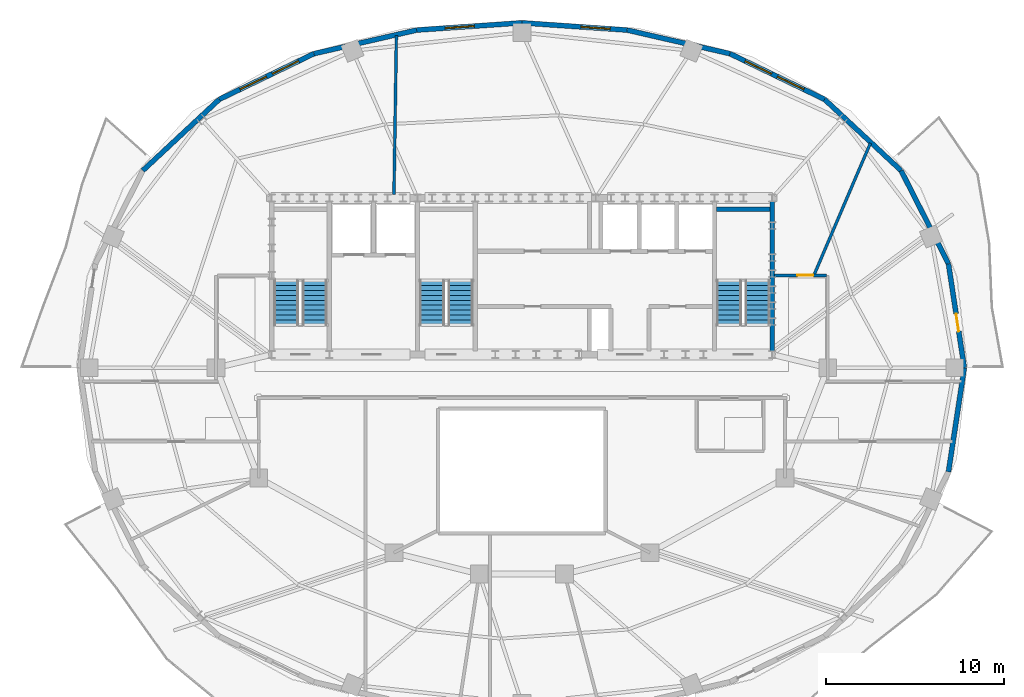
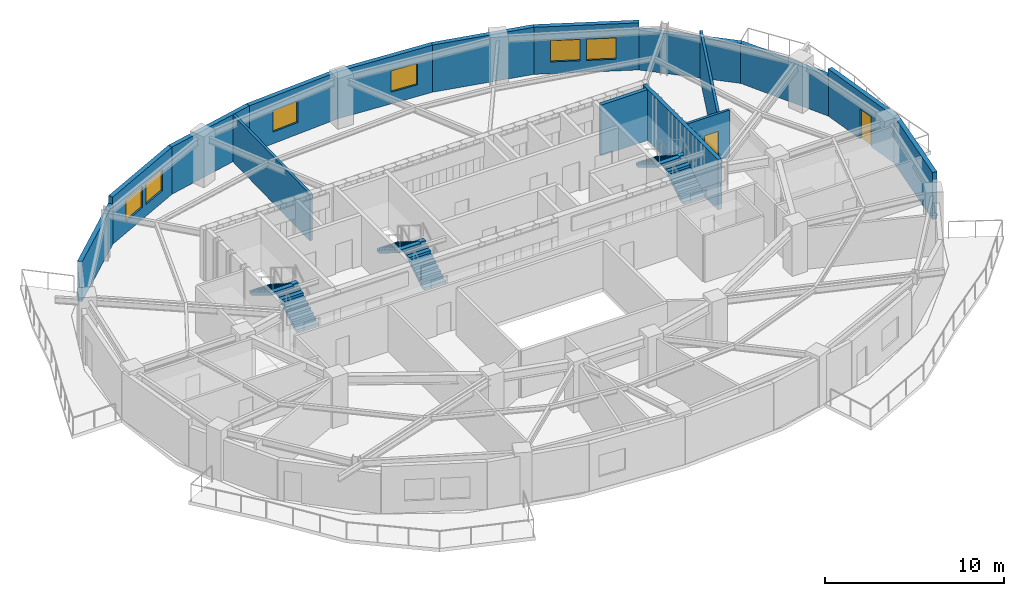
# One storey, part 5 of 9: 16 walls, 6 stair flights, 6 windows, 2 doors, 8 openings, 3 elements without a shape of their own.
"""IFC4 building model written with IfcOpenShell, lengths in metres."""

from ifc_helpers import new_model, si_unit, direction, frame, frame_2d, origin, place, context, subcontext, project, spatial, polyline, rectangle, outline, extrude, material, layer, layer_set, type_object, element, fill, aggregate, save


model = new_model("IFC4")

# Units and contexts
model_context = context("Model", 3, precision=1e-05, world=origin(), true_north=direction((0.0, 1.0)))
body_context = subcontext(model_context, "Body", "Model", "MODEL_VIEW")
ifc_project = project(units=[si_unit("LENGTHUNIT", "METRE"), si_unit("AREAUNIT", "SQUARE_METRE"), si_unit("VOLUMEUNIT", "CUBIC_METRE"), si_unit("PLANEANGLEUNIT", "RADIAN"), si_unit("MASSUNIT", "GRAM", prefix="KILO")], contexts=[model_context])

# Site, building, storey
site_placement = place(None, origin())
site = spatial("IfcSite", under=ifc_project, at=site_placement, CompositionType="ELEMENT")
building_placement = place(site_placement, origin())
building = spatial("IfcBuilding", under=site, at=building_placement, Name="Haldorwick Loom Tower", CompositionType="ELEMENT")
storey_placement = place(building_placement, frame((0.0, 0.0, 252.300048828125)))
storey = spatial("IfcBuildingStorey", under=building, at=storey_placement, Name="L68", CompositionType="ELEMENT", Elevation=252.300048828125)

# Wall, opening, door
ifc_material_1 = material(Name="Pressed Clay Face Brick and Insulated Masonry Backup Assembly", Category="masonry")
ifc_layer_1 = layer(ifc_material_1, 0.280029296875, Name="Pressed Clay Face Brick and Insulated Masonry Backup Assembly", Category="masonry")
ifc_layer_set_1 = layer_set([ifc_layer_1], Name="Pressed Clay Face Brick and Insulated Masonry Backup Assembly")
wall_type_1 = type_object("IfcWallType", Name="ARC-WL-EXT280", PredefinedType="STANDARD", material=ifc_layer_set_1)
wall_1_placement = place(storey_placement, frame((60.876708984375, 26.0, 0.0), z_axis=(0.0, 0.0, 1.0), x_axis=(-0.150497234153, 0.988610430105, 0.0)))
wall_1 = element("IfcWall", 1, at=wall_1_placement, inside=storey, type_object=wall_type_1, Name="L68 Brick Pier and Spandrel Wall 1", PredefinedType="STANDARD", context=body_context, shape_type="SweptSolid", body=[
    extrude(rectangle(XDim=5.916259765625, YDim=0.280029296875, at=frame_2d((2.9580078125, 0.0))), origin(), (0.0, 0.0, 1.0), 3.2099609375),
])
opening_1_placement = place(wall_1_placement, frame((2.0703125, 0.0, 0.0)))
opening_1 = element("IfcOpeningElement", 2, at=opening_1_placement, cuts=wall_1, Name="Opening D-BL10", PredefinedType="OPENING", context=body_context, shape_type="SweptSolid", body=[
    extrude(rectangle(XDim=1.0, YDim=2.0400390625, at=frame_2d((0.5, 1.02001953125))), frame((0.0, 0.14990234375, 0.0), z_axis=(0.0, -1.0, 0.0), x_axis=(1.0, 0.0, 0.0)), (0.0, 0.0, 1.0), 0.300048828125),
])
ifc_material_2 = material(Name="Thermally Broken Anodized Aluminium Curtain Wall Framing", Category="aluminium")
door_type_1 = type_object("IfcDoorType", Name="ARC-DR-BAL100", OperationType="NOTDEFINED", PredefinedType="DOOR", material=ifc_material_2)
door_1_placement = place(opening_1_placement, origin())
door_1 = element("IfcDoor", 3, at=door_1_placement, inside=storey, type_object=door_type_1, Name="L68 Outdoor Terrace Door SLB-L68-BAL_ENE", OperationType="SINGLE_SWING_RIGHT", OverallHeight=2.0400390625, OverallWidth=1.0, PredefinedType="DOOR", context=body_context, shape_type="SweptSolid", body=[
    extrude(rectangle(XDim=1.0, YDim=2.0400390625, at=frame_2d((0.5, 1.02001953125))), frame((0.0, 0.02490234375, 0.0), z_axis=(0.0, -1.0, 0.0), x_axis=(1.0, 0.0, 0.0)), (0.0, 0.0, 1.0), 0.050048828125),
])
fill(opening_1, door_1)

# Walls
wall_2_placement = place(storey_placement, frame((59.986328125, 31.848876953125, 0.0), z_axis=(0.0, 0.0, 1.0), x_axis=(-0.453100705059, 0.89145933787, 0.0)))
element("IfcWall", 4, at=wall_2_placement, inside=storey, type_object=wall_type_1, Name="L68 Brick Pier and Spandrel Wall 2", PredefinedType="STANDARD", context=body_context, shape_type="SweptSolid", body=[
    extrude(rectangle(XDim=5.879150390625, YDim=0.280029296875, at=frame_2d((2.939453125, 0.0))), origin(), (0.0, 0.0, 1.0), 2.718994140625),
])
wall_3_placement = place(storey_placement, frame((57.322509765625, 37.08984375, 0.0), z_axis=(0.0, 0.0, 1.0), x_axis=(-0.731924682982, 0.68138554317, 0.0)))
element("IfcWall", 5, at=wall_3_placement, inside=storey, type_object=wall_type_1, Name="L68 Brick Pier and Spandrel Wall 3", PredefinedType="STANDARD", context=body_context, shape_type="SweptSolid", body=[
    extrude(rectangle(XDim=5.87890625, YDim=0.280029296875, at=frame_2d((2.939453125, 0.0))), origin(), (0.0, 0.0, 1.0), 2.718994140625),
])

# Wall, openings, windows
wall_4_placement = place(storey_placement, frame((53.01953125, 41.095703125, 0.0), z_axis=(0.0, 0.0, 1.0), x_axis=(-0.900481907967, 0.434893473651, 0.0)))
wall_4 = element("IfcWall", 6, at=wall_4_placement, inside=storey, type_object=wall_type_1, Name="L68 Brick Pier and Spandrel Wall 4", PredefinedType="STANDARD", context=body_context, shape_type="SweptSolid", body=[
    extrude(rectangle(XDim=5.90966796875, YDim=0.280029296875, at=frame_2d((2.954833984375, 0.0))), origin(), (0.0, 0.0, 1.0), 3.2099609375),
])
opening_2_placement = place(wall_4_placement, frame((1.29443359375, 0.0, 0.800048828125)))
opening_2 = element("IfcOpeningElement", 7, at=opening_2_placement, cuts=wall_4, Name="Opening W-01B", PredefinedType="OPENING", context=body_context, shape_type="SweptSolid", body=[
    extrude(rectangle(XDim=1.64990234375, YDim=1.449951171875, at=frame_2d((0.824951171875, 0.72509765625))), frame((0.0, 0.14990234375, 0.0), z_axis=(0.0, -1.0, 0.0), x_axis=(1.0, 0.0, 0.0)), (0.0, 0.0, 1.0), 0.300048828125),
])
opening_3_placement = place(wall_4_placement, frame((3.311767578125, 0.0, 0.800048828125)))
opening_3 = element("IfcOpeningElement", 8, at=opening_3_placement, cuts=wall_4, Name="Opening W-01B", PredefinedType="OPENING", context=body_context, shape_type="SweptSolid", body=[
    extrude(rectangle(XDim=1.64990234375, YDim=1.449951171875, at=frame_2d((0.824951171875, 0.72509765625))), frame((0.0, 0.14990234375, 0.0), z_axis=(0.0, -1.0, 0.0), x_axis=(1.0, 0.0, 0.0)), (0.0, 0.0, 1.0), 0.300048828125),
])
ifc_material_3 = material(Name="Triple-Glazed Low-E Argon Insulated Glazing Unit", Category="glass")
window_type = type_object("IfcWindowType", Name="ARC-WIN-W165", PartitioningType="SINGLE_PANEL", PredefinedType="WINDOW", material=ifc_material_3)
window_1_placement = place(opening_2_placement, origin())
window_1 = element("IfcWindow", 9, at=window_1_placement, inside=storey, type_object=window_type, Name="L68 Deep-Set Zone 7A Window 4", OverallHeight=1.449951171875, OverallWidth=1.64990234375, PartitioningType="SINGLE_PANEL", PredefinedType="WINDOW", context=body_context, shape_type="SweptSolid", body=[
    extrude(rectangle(XDim=1.64990234375, YDim=1.449951171875, at=frame_2d((0.824951171875, 0.72509765625))), frame((0.0, 0.030029296875, 0.0), z_axis=(0.0, -1.0, 0.0), x_axis=(1.0, 0.0, 0.0)), (0.0, 0.0, 1.0), 0.06005859375),
])
fill(opening_2, window_1)
window_2_placement = place(opening_3_placement, origin())
window_2 = element("IfcWindow", 10, at=window_2_placement, inside=storey, type_object=window_type, Name="L68 Deep-Set Zone 7A Window 4", OverallHeight=1.449951171875, OverallWidth=1.64990234375, PartitioningType="SINGLE_PANEL", PredefinedType="WINDOW", context=body_context, shape_type="SweptSolid", body=[
    extrude(rectangle(XDim=1.64990234375, YDim=1.449951171875, at=frame_2d((0.824951171875, 0.72509765625))), frame((0.0, 0.030029296875, 0.0), z_axis=(0.0, -1.0, 0.0), x_axis=(1.0, 0.0, 0.0)), (0.0, 0.0, 1.0), 0.06005859375),
])
fill(opening_3, window_2)

# Wall
wall_5_placement = place(storey_placement, frame((47.697998046875, 43.665771484375, 0.0), z_axis=(0.0, 0.0, 1.0), x_axis=(-0.974589984037, 0.223996345987, 0.0)))
element("IfcWall", 11, at=wall_5_placement, inside=storey, type_object=wall_type_1, Name="L68 Brick Pier and Spandrel Wall 5", PredefinedType="STANDARD", context=body_context, shape_type="SweptSolid", body=[
    extrude(rectangle(XDim=5.92919921875, YDim=0.280029296875, at=frame_2d((2.964599609375, 0.0))), origin(), (0.0, 0.0, 1.0), 3.2099609375),
])

# Wall, opening, window
wall_6_placement = place(storey_placement, frame((41.91943359375, 44.993896484375, 0.0), z_axis=(0.0, 0.0, 1.0), x_axis=(-0.997656066566, 0.068427865986, 0.0)))
wall_6 = element("IfcWall", 12, at=wall_6_placement, inside=storey, type_object=wall_type_1, Name="L68 Brick Pier and Spandrel Wall 6", PredefinedType="STANDARD", context=body_context, shape_type="SweptSolid", body=[
    extrude(rectangle(XDim=5.933349609375, YDim=0.280029296875, at=frame_2d((2.966796875, 0.0))), origin(), (0.0, 0.0, 1.0), 3.2099609375),
])
opening_4_placement = place(wall_6_placement, frame((0.955078125, 0.0, 0.800048828125)))
opening_4 = element("IfcOpeningElement", 13, at=opening_4_placement, cuts=wall_6, Name="Opening W-01B", PredefinedType="OPENING", context=body_context, shape_type="SweptSolid", body=[
    extrude(rectangle(XDim=1.64990234375, YDim=1.449951171875, at=frame_2d((0.824951171875, 0.72509765625))), frame((0.0, 0.14990234375, 0.0), z_axis=(0.0, -1.0, 0.0), x_axis=(1.0, 0.0, 0.0)), (0.0, 0.0, 1.0), 0.300048828125),
])
window_3_placement = place(opening_4_placement, origin())
window_3 = element("IfcWindow", 14, at=window_3_placement, inside=storey, type_object=window_type, Name="L68 Deep-Set Zone 7A Window 6", OverallHeight=1.449951171875, OverallWidth=1.64990234375, PartitioningType="SINGLE_PANEL", PredefinedType="WINDOW", context=body_context, shape_type="SweptSolid", body=[
    extrude(rectangle(XDim=1.64990234375, YDim=1.449951171875, at=frame_2d((0.824951171875, 0.72509765625))), frame((0.0, 0.030029296875, 0.0), z_axis=(0.0, -1.0, 0.0), x_axis=(1.0, 0.0, 0.0)), (0.0, 0.0, 1.0), 0.06005859375),
])
fill(opening_4, window_3)

wall_7_placement = place(storey_placement, frame((36.0, 45.39990234375, 0.0), z_axis=(0.0, 0.0, 1.0), x_axis=(-0.997656066566, -0.068427865986, 0.0)))
wall_7 = element("IfcWall", 15, at=wall_7_placement, inside=storey, type_object=wall_type_1, Name="L68 Brick Pier and Spandrel Wall 7", PredefinedType="STANDARD", context=body_context, shape_type="SweptSolid", body=[
    extrude(rectangle(XDim=5.933349609375, YDim=0.280029296875, at=frame_2d((2.966796875, 0.0))), origin(), (0.0, 0.0, 1.0), 3.2099609375),
])
opening_5_placement = place(wall_7_placement, frame((2.68212890625, 0.0, 0.800048828125)))
opening_5 = element("IfcOpeningElement", 16, at=opening_5_placement, cuts=wall_7, Name="Opening W-01B", PredefinedType="OPENING", context=body_context, shape_type="SweptSolid", body=[
    extrude(rectangle(XDim=1.64990234375, YDim=1.449951171875, at=frame_2d((0.824951171875, 0.72509765625))), frame((0.0, 0.14990234375, 0.0), z_axis=(0.0, -1.0, 0.0), x_axis=(1.0, 0.0, 0.0)), (0.0, 0.0, 1.0), 0.300048828125),
])
window_4_placement = place(opening_5_placement, origin())
window_4 = element("IfcWindow", 17, at=window_4_placement, inside=storey, type_object=window_type, Name="L68 Deep-Set Zone 7A Window 7", OverallHeight=1.449951171875, OverallWidth=1.64990234375, PartitioningType="SINGLE_PANEL", PredefinedType="WINDOW", context=body_context, shape_type="SweptSolid", body=[
    extrude(rectangle(XDim=1.64990234375, YDim=1.449951171875, at=frame_2d((0.824951171875, 0.72509765625))), frame((0.0, 0.030029296875, 0.0), z_axis=(0.0, -1.0, 0.0), x_axis=(1.0, 0.0, 0.0)), (0.0, 0.0, 1.0), 0.06005859375),
])
fill(opening_5, window_4)

# Wall
wall_8_placement = place(storey_placement, frame((30.08056640625, 44.993896484375, 0.0), z_axis=(0.0, 0.0, 1.0), x_axis=(-0.974589984037, -0.223996345987, 0.0)))
element("IfcWall", 18, at=wall_8_placement, inside=storey, type_object=wall_type_1, Name="L68 Brick Pier and Spandrel Wall 8", PredefinedType="STANDARD", context=body_context, shape_type="SweptSolid", body=[
    extrude(rectangle(XDim=5.92919921875, YDim=0.280029296875, at=frame_2d((2.964599609375, 0.0))), origin(), (0.0, 0.0, 1.0), 3.2099609375),
])

# Wall, openings, windows
wall_9_placement = place(storey_placement, frame((24.302001953125, 43.665771484375, 0.0), z_axis=(0.0, 0.0, 1.0), x_axis=(-0.900481907967, -0.434893473651, 0.0)))
wall_9 = element("IfcWall", 19, at=wall_9_placement, inside=storey, type_object=wall_type_1, Name="L68 Brick Pier and Spandrel Wall 9", PredefinedType="STANDARD", context=body_context, shape_type="SweptSolid", body=[
    extrude(rectangle(XDim=5.90966796875, YDim=0.280029296875, at=frame_2d((2.954833984375, 0.0))), origin(), (0.0, 0.0, 1.0), 3.2099609375),
])
opening_6_placement = place(wall_9_placement, frame((0.947998046875, 0.0, 0.800048828125)))
opening_6 = element("IfcOpeningElement", 20, at=opening_6_placement, cuts=wall_9, Name="Opening W-01B", PredefinedType="OPENING", context=body_context, shape_type="SweptSolid", body=[
    extrude(rectangle(XDim=1.64990234375, YDim=1.449951171875, at=frame_2d((0.824951171875, 0.72509765625))), frame((0.0, 0.14990234375, 0.0), z_axis=(0.0, -1.0, 0.0), x_axis=(1.0, 0.0, 0.0)), (0.0, 0.0, 1.0), 0.300048828125),
])
opening_7_placement = place(wall_9_placement, frame((2.965087890625, 0.0, 0.800048828125)))
opening_7 = element("IfcOpeningElement", 21, at=opening_7_placement, cuts=wall_9, Name="Opening W-01B", PredefinedType="OPENING", context=body_context, shape_type="SweptSolid", body=[
    extrude(rectangle(XDim=1.64990234375, YDim=1.449951171875, at=frame_2d((0.824951171875, 0.72509765625))), frame((0.0, 0.14990234375, 0.0), z_axis=(0.0, -1.0, 0.0), x_axis=(1.0, 0.0, 0.0)), (0.0, 0.0, 1.0), 0.300048828125),
])
window_5_placement = place(opening_6_placement, origin())
window_5 = element("IfcWindow", 22, at=window_5_placement, inside=storey, type_object=window_type, Name="L68 Deep-Set Zone 7A Window 9", OverallHeight=1.449951171875, OverallWidth=1.64990234375, PartitioningType="SINGLE_PANEL", PredefinedType="WINDOW", context=body_context, shape_type="SweptSolid", body=[
    extrude(rectangle(XDim=1.64990234375, YDim=1.449951171875, at=frame_2d((0.824951171875, 0.72509765625))), frame((0.0, 0.030029296875, 0.0), z_axis=(0.0, -1.0, 0.0), x_axis=(1.0, 0.0, 0.0)), (0.0, 0.0, 1.0), 0.06005859375),
])
fill(opening_6, window_5)
window_6_placement = place(opening_7_placement, origin())
window_6 = element("IfcWindow", 23, at=window_6_placement, inside=storey, type_object=window_type, Name="L68 Deep-Set Zone 7A Window 9", OverallHeight=1.449951171875, OverallWidth=1.64990234375, PartitioningType="SINGLE_PANEL", PredefinedType="WINDOW", context=body_context, shape_type="SweptSolid", body=[
    extrude(rectangle(XDim=1.64990234375, YDim=1.449951171875, at=frame_2d((0.824951171875, 0.72509765625))), frame((0.0, 0.030029296875, 0.0), z_axis=(0.0, -1.0, 0.0), x_axis=(1.0, 0.0, 0.0)), (0.0, 0.0, 1.0), 0.06005859375),
])
fill(opening_7, window_6)

# Walls
wall_10_placement = place(storey_placement, frame((18.98046875, 41.095703125, 0.0), z_axis=(0.0, 0.0, 1.0), x_axis=(-0.731924682982, -0.68138554317, 0.0)))
element("IfcWall", 24, at=wall_10_placement, inside=storey, type_object=wall_type_1, Name="L68 Brick Pier and Spandrel Wall 10", PredefinedType="STANDARD", context=body_context, shape_type="SweptSolid", body=[
    extrude(rectangle(XDim=5.87890625, YDim=0.280029296875, at=frame_2d((2.939453125, 0.0))), origin(), (0.0, 0.0, 1.0), 2.718994140625),
])
wall_11_placement = place(storey_placement, frame((59.986328125, 20.151123046875, 0.0), z_axis=(0.0, 0.0, 1.0), x_axis=(0.150497234153, 0.988610430105, 0.0)))
element("IfcWall", 25, at=wall_11_placement, inside=storey, type_object=wall_type_1, Name="L68 Brick Pier and Spandrel Wall 24", PredefinedType="STANDARD", context=body_context, shape_type="SweptSolid", body=[
    extrude(rectangle(XDim=5.916259765625, YDim=0.280029296875, at=frame_2d((2.9580078125, 0.0))), origin(), (0.0, 0.0, 1.0), 3.2099609375),
])

# Wall, opening, door
ifc_material_4 = material(Name="Fire-Rated Type X Gypsum Stud Assembly EI 60")
ifc_layer_2 = layer(ifc_material_4, 0.159912109375, Name="Fire-Rated Type X Gypsum Stud Assembly EI 60")
ifc_layer_set_2 = layer_set([ifc_layer_2], Name="Fire-Rated Type X Gypsum Stud Assembly EI 60")
wall_type_2 = type_object("IfcWallType", Name="ARC-WL-FIRE160", PredefinedType="PARTITIONING", material=ifc_layer_set_2)
wall_12_placement = place(storey_placement, frame((50.193115234375, 31.199951171875, 0.0), z_axis=(0.0, 0.0, 1.0), x_axis=(1.0, 0.0, 0.0)))
wall_12 = element("IfcWall", 26, at=wall_12_placement, inside=storey, type_object=wall_type_2, Name="L68 Residential Fire Partition L68-CR-ENJ", PredefinedType="PARTITIONING", context=body_context, shape_type="SweptSolid", body=[
    extrude(rectangle(XDim=2.923828125, YDim=0.159912109375, at=frame_2d((1.4619140625, 0.0))), origin(), (0.0, 0.0, 1.0), 3.195068359375),
])
opening_8_placement = place(wall_12_placement, frame((1.29150390625, 0.0, 0.0)))
opening_8 = element("IfcOpeningElement", 27, at=opening_8_placement, cuts=wall_12, Name="Opening D-FD60A", PredefinedType="OPENING", context=body_context, shape_type="SweptSolid", body=[
    extrude(rectangle(XDim=0.89990234375, YDim=2.0, at=frame_2d((0.449951171875, 1.0))), frame((0.0, 0.08984375, 0.0), z_axis=(0.0, -1.0, 0.0), x_axis=(1.0, 0.0, 0.0)), (0.0, 0.0, 1.0), 0.179931640625),
])
ifc_material_5 = material(Name="Hollow Steel Fire Door Assembly", Category="steel")
door_type_2 = type_object("IfcDoorType", Name="ARC-DR-FD60-90", OperationType="NOTDEFINED", PredefinedType="DOOR", material=ifc_material_5)
door_2_placement = place(opening_8_placement, frame((0.89990234375, 0.0, 0.0), z_axis=(0.0, 0.0, 1.0), x_axis=(-1.0, 0.0, 0.0)))
door_2 = element("IfcDoor", 28, at=door_2_placement, inside=storey, type_object=door_type_2, Name="L68 Tenant Seminar Meeting Room 8 to L68 Central Residential Corridor Do", OperationType="SINGLE_SWING_RIGHT", OverallHeight=2.0, OverallWidth=0.89990234375, PredefinedType="DOOR", context=body_context, shape_type="SweptSolid", body=[
    extrude(rectangle(XDim=0.89990234375, YDim=2.0, at=frame_2d((0.449951171875, 1.0))), frame((0.0, 0.02490234375, 0.0), z_axis=(0.0, -1.0, 0.0), x_axis=(1.0, 0.0, 0.0)), (0.0, 0.0, 1.0), 0.050048828125),
])
fill(opening_8, door_2)

# Walls
wall_13_placement = place(storey_placement, frame((28.8046875, 35.7529296875, 0.0), z_axis=(0.0, 0.0, 1.0), x_axis=(0.015248711969, 0.999883731632, 0.0)))
element("IfcWall", 29, at=wall_13_placement, inside=storey, type_object=wall_type_2, Name="L68 Residential Fire Partition L68-UPN-C3", PredefinedType="PARTITIONING", context=body_context, shape_type="SweptSolid", body=[
    extrude(rectangle(XDim=8.933837890625, YDim=0.159912109375, at=frame_2d((4.466796875, 0.0))), origin(), (0.0, 0.0, 1.0), 3.195068359375),
])
wall_14_placement = place(storey_placement, frame((55.5966796875, 38.63525390625, 0.0), z_axis=(0.0, 0.0, 1.0), x_axis=(-0.393134263541, -0.919481076929, 0.0)))
element("IfcWall", 30, at=wall_14_placement, inside=storey, type_object=wall_type_2, Name="L68 Suite Split Wall", PredefinedType="PARTITIONING", context=body_context, shape_type="SweptSolid", body=[
    extrude(rectangle(XDim=7.99609375, YDim=0.159912109375, at=frame_2d((3.998046875, 0.0))), origin(), (0.0, 0.0, 1.0), 3.195068359375),
])
ifc_material_6 = material(Name="Concrete C50 (50 MPa)", Category="concrete")
ifc_layer_3 = layer(ifc_material_6, 0.239990234375, Name="Concrete C50 (50 MPa)", Category="concrete")
ifc_layer_set_3 = layer_set([ifc_layer_3], Name="Concrete C50 (50 MPa)")
wall_type_3 = type_object("IfcWallType", Name="STR-WL-SHAFT240", PredefinedType="SHEAR", material=ifc_layer_set_3)
wall_15_placement = place(storey_placement, frame((50.070068359375, 26.952880859375, 0.0), z_axis=(0.0, 0.0, 1.0), x_axis=(0.0, 1.0, 0.0)))
element("IfcWall", 31, at=wall_15_placement, inside=storey, type_object=wall_type_3, Name="L68 Core Shear Wall E", PredefinedType="SHEAR", context=body_context, shape_type="SweptSolid", body=[
    extrude(rectangle(XDim=8.39404296875, YDim=0.239990234375, at=frame_2d((4.197021484375, 0.0))), origin(), (0.0, 0.0, 1.0), 3.449951171875),
])
wall_16_placement = place(storey_placement, frame((46.952880859375, 34.919921875, 0.0), z_axis=(0.0, 0.0, 1.0), x_axis=(1.0, 0.0, 0.0)))
element("IfcWall", 32, at=wall_16_placement, inside=storey, type_object=wall_type_3, Name="L68 Core Shear Wall 4N", PredefinedType="SHEAR", context=body_context, shape_type="SweptSolid", body=[
    extrude(rectangle(XDim=2.994140625, YDim=0.239990234375, at=frame_2d((1.4970703125, 0.0))), origin(), (0.0, 0.0, 1.0), 3.449951171875),
])

# Stair, stair flights
ifc_material_7 = material(Name="Concrete C40 (40 MPa)", Category="concrete")
stair_type = type_object("IfcStairType", Name="STR-STR-CORE", PredefinedType="HALF_TURN_STAIR", material=ifc_material_7)
stair_1_placement = place(storey_placement, origin())
stair_1 = element("IfcStair", 33, at=stair_1_placement, inside=storey, type_object=stair_type, Name="L68 Exit Stair ST-01", PredefinedType="HALF_TURN_STAIR")
stair_flight_type = type_object("IfcStairFlightType", Name="STR-STF-1250", PredefinedType="STRAIGHT", material=ifc_material_7)
stair_flight_1_placement = place(storey_placement, frame((24.35009765625, 28.39990234375, 0.0), z_axis=(0.0, 0.0, 1.0), x_axis=(0.0, 1.0, 0.0)))
stair_flight_1 = element("IfcStairFlight", 34, at=stair_flight_1_placement, type_object=stair_flight_type, Name="ST-01 flight 1", NumberOfRisers=10, NumberOfTreads=9, PredefinedType="STRAIGHT", RiserHeight=0.1725, TreadLength=0.28, context=body_context, shape_type="SweptSolid", body=[
    extrude(outline(polyline([(0.0, 0.0), (0.0, 0.172607421875), (0.280029296875, 0.172607421875), (0.280029296875, 0.344970703125), (0.56005859375, 0.344970703125), (0.56005859375, 0.517578125), (0.840087890625, 0.517578125), (0.840087890625, 0.68994140625), (1.1201171875, 0.68994140625), (1.1201171875, 0.862548828125), (1.39990234375, 0.862548828125), (1.39990234375, 1.034912109375), (1.679931640625, 1.034912109375), (1.679931640625, 1.20751953125), (1.9599609375, 1.20751953125), (1.9599609375, 1.3798828125), (2.239990234375, 1.3798828125), (2.239990234375, 1.552490234375), (2.52001953125, 1.552490234375), (2.52001953125, 1.72509765625), (2.52001953125, 1.37646484375), (0.285888671875, 0.0), (0.0, 0.0)])), frame((0.0, 0.699951171875, 0.0), z_axis=(0.0, -1.0, 0.0), x_axis=(1.0, 0.0, 0.0)), (0.0, 0.0, 1.0), 1.39990234375),
])
stair_flight_2_placement = place(storey_placement, frame((22.75, 30.919921875, 1.724853515625), z_axis=(0.0, 0.0, 1.0), x_axis=(0.0, -1.0, 0.0)))
stair_flight_2 = element("IfcStairFlight", 35, at=stair_flight_2_placement, type_object=stair_flight_type, Name="ST-01 flight 2", NumberOfRisers=10, NumberOfTreads=9, PredefinedType="STRAIGHT", RiserHeight=0.1725, TreadLength=0.28, context=body_context, shape_type="SweptSolid", body=[
    extrude(outline(polyline([(0.0, 0.0), (0.0, 0.172607421875), (0.280029296875, 0.172607421875), (0.280029296875, 0.344970703125), (0.56005859375, 0.344970703125), (0.56005859375, 0.517578125), (0.840087890625, 0.517578125), (0.840087890625, 0.68994140625), (1.1201171875, 0.68994140625), (1.1201171875, 0.862548828125), (1.39990234375, 0.862548828125), (1.39990234375, 1.034912109375), (1.679931640625, 1.034912109375), (1.679931640625, 1.20751953125), (1.9599609375, 1.20751953125), (1.9599609375, 1.3798828125), (2.239990234375, 1.3798828125), (2.239990234375, 1.552490234375), (2.52001953125, 1.552490234375), (2.52001953125, 1.72509765625), (2.52001953125, 1.37646484375), (0.285888671875, 0.0), (0.0, 0.0)])), frame((0.0, 0.699951171875, 0.0), z_axis=(0.0, -1.0, 0.0), x_axis=(1.0, 0.0, 0.0)), (0.0, 0.0, 1.0), 1.39990234375),
])
aggregate(stair_1, [stair_flight_1, stair_flight_2])

stair_2_placement = place(storey_placement, origin())
stair_2 = element("IfcStair", 36, at=stair_2_placement, inside=storey, type_object=stair_type, Name="L68 Exit Stair ST-02", PredefinedType="HALF_TURN_STAIR")
stair_flight_3_placement = place(storey_placement, frame((49.25, 28.39990234375, 0.0), z_axis=(0.0, 0.0, 1.0), x_axis=(0.0, 1.0, 0.0)))
stair_flight_3 = element("IfcStairFlight", 37, at=stair_flight_3_placement, type_object=stair_flight_type, Name="ST-02 flight 1", NumberOfRisers=10, NumberOfTreads=9, PredefinedType="STRAIGHT", RiserHeight=0.1725, TreadLength=0.28, context=body_context, shape_type="SweptSolid", body=[
    extrude(outline(polyline([(0.0, 0.0), (0.0, 0.172607421875), (0.280029296875, 0.172607421875), (0.280029296875, 0.344970703125), (0.56005859375, 0.344970703125), (0.56005859375, 0.517578125), (0.840087890625, 0.517578125), (0.840087890625, 0.68994140625), (1.1201171875, 0.68994140625), (1.1201171875, 0.862548828125), (1.39990234375, 0.862548828125), (1.39990234375, 1.034912109375), (1.679931640625, 1.034912109375), (1.679931640625, 1.20751953125), (1.9599609375, 1.20751953125), (1.9599609375, 1.3798828125), (2.239990234375, 1.3798828125), (2.239990234375, 1.552490234375), (2.52001953125, 1.552490234375), (2.52001953125, 1.72509765625), (2.52001953125, 1.37646484375), (0.285888671875, 0.0), (0.0, 0.0)])), frame((0.0, 0.699951171875, 0.0), z_axis=(0.0, -1.0, 0.0), x_axis=(1.0, 0.0, 0.0)), (0.0, 0.0, 1.0), 1.39990234375),
])
stair_flight_4_placement = place(storey_placement, frame((47.64990234375, 30.919921875, 1.724853515625), z_axis=(0.0, 0.0, 1.0), x_axis=(0.0, -1.0, 0.0)))
stair_flight_4 = element("IfcStairFlight", 38, at=stair_flight_4_placement, type_object=stair_flight_type, Name="ST-02 flight 2", NumberOfRisers=10, NumberOfTreads=9, PredefinedType="STRAIGHT", RiserHeight=0.1725, TreadLength=0.28, context=body_context, shape_type="SweptSolid", body=[
    extrude(outline(polyline([(0.0, 0.0), (0.0, 0.172607421875), (0.280029296875, 0.172607421875), (0.280029296875, 0.344970703125), (0.56005859375, 0.344970703125), (0.56005859375, 0.517578125), (0.840087890625, 0.517578125), (0.840087890625, 0.68994140625), (1.1201171875, 0.68994140625), (1.1201171875, 0.862548828125), (1.39990234375, 0.862548828125), (1.39990234375, 1.034912109375), (1.679931640625, 1.034912109375), (1.679931640625, 1.20751953125), (1.9599609375, 1.20751953125), (1.9599609375, 1.3798828125), (2.239990234375, 1.3798828125), (2.239990234375, 1.552490234375), (2.52001953125, 1.552490234375), (2.52001953125, 1.72509765625), (2.52001953125, 1.37646484375), (0.285888671875, 0.0), (0.0, 0.0)])), frame((0.0, 0.699951171875, 0.0), z_axis=(0.0, -1.0, 0.0), x_axis=(1.0, 0.0, 0.0)), (0.0, 0.0, 1.0), 1.39990234375),
])
aggregate(stair_2, [stair_flight_3, stair_flight_4])

stair_3_placement = place(storey_placement, origin())
stair_3 = element("IfcStair", 39, at=stair_3_placement, inside=storey, type_object=stair_type, Name="L68 Exit Stair ST-03", PredefinedType="HALF_TURN_STAIR")
stair_flight_5_placement = place(storey_placement, frame((32.550048828125, 28.39990234375, 0.0), z_axis=(0.0, 0.0, 1.0), x_axis=(0.0, 1.0, 0.0)))
stair_flight_5 = element("IfcStairFlight", 40, at=stair_flight_5_placement, type_object=stair_flight_type, Name="ST-03 flight 1", NumberOfRisers=10, NumberOfTreads=9, PredefinedType="STRAIGHT", RiserHeight=0.1725, TreadLength=0.28, context=body_context, shape_type="SweptSolid", body=[
    extrude(outline(polyline([(0.0, 0.0), (0.0, 0.172607421875), (0.280029296875, 0.172607421875), (0.280029296875, 0.344970703125), (0.56005859375, 0.344970703125), (0.56005859375, 0.517578125), (0.840087890625, 0.517578125), (0.840087890625, 0.68994140625), (1.1201171875, 0.68994140625), (1.1201171875, 0.862548828125), (1.39990234375, 0.862548828125), (1.39990234375, 1.034912109375), (1.679931640625, 1.034912109375), (1.679931640625, 1.20751953125), (1.9599609375, 1.20751953125), (1.9599609375, 1.3798828125), (2.239990234375, 1.3798828125), (2.239990234375, 1.552490234375), (2.52001953125, 1.552490234375), (2.52001953125, 1.72509765625), (2.52001953125, 1.37646484375), (0.285888671875, 0.0), (0.0, 0.0)])), frame((0.0, 0.699951171875, 0.0), z_axis=(0.0, -1.0, 0.0), x_axis=(1.0, 0.0, 0.0)), (0.0, 0.0, 1.0), 1.39990234375),
])
stair_flight_6_placement = place(storey_placement, frame((30.949951171875, 30.919921875, 1.724853515625), z_axis=(0.0, 0.0, 1.0), x_axis=(0.0, -1.0, 0.0)))
stair_flight_6 = element("IfcStairFlight", 41, at=stair_flight_6_placement, type_object=stair_flight_type, Name="ST-03 flight 2", NumberOfRisers=10, NumberOfTreads=9, PredefinedType="STRAIGHT", RiserHeight=0.1725, TreadLength=0.28, context=body_context, shape_type="SweptSolid", body=[
    extrude(outline(polyline([(0.0, 0.0), (0.0, 0.172607421875), (0.280029296875, 0.172607421875), (0.280029296875, 0.344970703125), (0.56005859375, 0.344970703125), (0.56005859375, 0.517578125), (0.840087890625, 0.517578125), (0.840087890625, 0.68994140625), (1.1201171875, 0.68994140625), (1.1201171875, 0.862548828125), (1.39990234375, 0.862548828125), (1.39990234375, 1.034912109375), (1.679931640625, 1.034912109375), (1.679931640625, 1.20751953125), (1.9599609375, 1.20751953125), (1.9599609375, 1.3798828125), (2.239990234375, 1.3798828125), (2.239990234375, 1.552490234375), (2.52001953125, 1.552490234375), (2.52001953125, 1.72509765625), (2.52001953125, 1.37646484375), (0.285888671875, 0.0), (0.0, 0.0)])), frame((0.0, 0.699951171875, 0.0), z_axis=(0.0, -1.0, 0.0), x_axis=(1.0, 0.0, 0.0)), (0.0, 0.0, 1.0), 1.39990234375),
])
aggregate(stair_3, [stair_flight_5, stair_flight_6])

save(model, "model.ifc")
